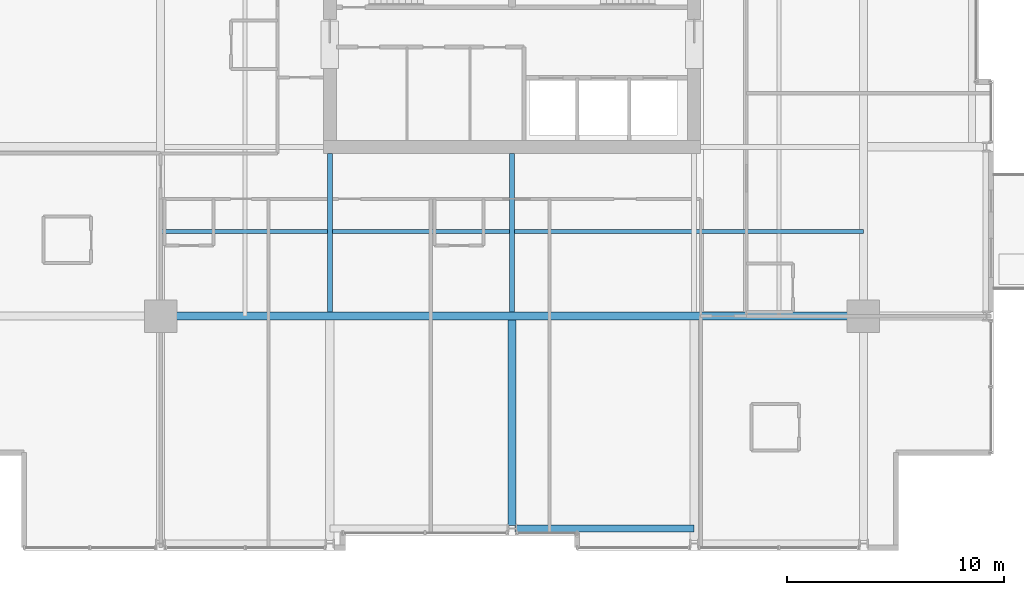
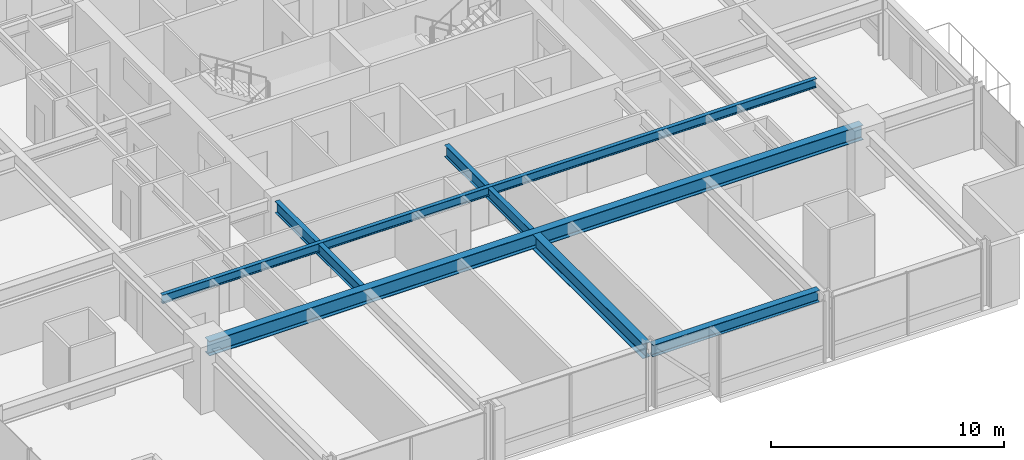
# One storey, part 6 of 34: 6 beams.
"""IFC4 building model written with IfcOpenShell, lengths in metres."""

from ifc_helpers import new_model, si_unit, direction, frame, origin, origin_2d, place, context, subcontext, project, spatial, i_section, extrude, material, material_profile, profile_set, type_object, element, save


model = new_model("IFC4")

# Units and contexts
model_context = context("Model", 3, precision=1e-05, world=origin(), true_north=direction((0.0, 1.0)))
body_context = subcontext(model_context, "Body", "Model", "MODEL_VIEW")
ifc_project = project(units=[si_unit("LENGTHUNIT", "METRE"), si_unit("AREAUNIT", "SQUARE_METRE"), si_unit("VOLUMEUNIT", "CUBIC_METRE"), si_unit("PLANEANGLEUNIT", "RADIAN"), si_unit("MASSUNIT", "GRAM", prefix="KILO")], contexts=[model_context])

# Site, building, storey
site_placement = place(None, origin())
site = spatial("IfcSite", under=ifc_project, at=site_placement, CompositionType="ELEMENT")
building_placement = place(site_placement, origin())
building = spatial("IfcBuilding", under=site, at=building_placement, Name="Drelvath Grand Hotel", CompositionType="ELEMENT")
storey_placement = place(building_placement, frame((0.0, 0.0, 116.300048828125)))
storey = spatial("IfcBuildingStorey", under=building, at=storey_placement, Name="L29", CompositionType="ELEMENT", Elevation=116.300048828125)

# Beams
ifc_material = material(Name="Steel ASTM A992 Gr 50", Category="steel")
ifc_material_profile_1 = material_profile(ifc_material, i_section(OverallWidth=0.19140625, OverallDepth=0.4599609375, WebThickness=0.010009765625, FlangeThickness=0.01611328125, FilletRadius=0.01611328125, at=origin_2d()), Name="W18X55")
ifc_profile_set_1 = profile_set([ifc_material_profile_1], Name="Steel ASTM A992 Gr 50")
beam_type_1 = type_object("IfcBeamType", Name="Composite Floor Joist W18X55", PredefinedType="JOIST", material=ifc_profile_set_1)
beam_1_placement = place(storey_placement, frame((-16.199951171875, 14.699951171875, 3.010009765625), z_axis=(1.0, 0.0, 0.0), x_axis=(0.0, 1.0, 0.0)))
element("IfcBeam", 1, at=beam_1_placement, inside=storey, type_object=beam_type_1, Name="L29 Floor Joist J1", PredefinedType="JOIST", context=body_context, shape_type="SweptSolid", body=[
    extrude(i_section(OverallWidth=0.19140625, OverallDepth=0.4599609375, WebThickness=0.010009765625, FlangeThickness=0.01611328125, FilletRadius=0.01611328125, at=origin_2d()), origin(), (0.0, 0.0, 1.0), 32.39990234375),
])
ifc_material_profile_2 = material_profile(ifc_material, i_section(OverallWidth=0.323974609375, OverallDepth=0.611083984375, WebThickness=0.0126953125, FlangeThickness=0.01904296875, FilletRadius=0.02197265625, at=origin_2d()), Name="W24X104")
ifc_profile_set_2 = profile_set([ifc_material_profile_2], Name="Steel ASTM A992 Gr 50")
beam_type_2 = type_object("IfcBeamType", Name="Perimeter Spandrel Beam W24X104", PredefinedType="SPANDREL", material=ifc_profile_set_2)
beam_2_placement = place(storey_placement, frame((0.139892578125, 1.0, 2.9345703125), z_axis=(1.0, 0.0, 0.0), x_axis=(0.0, 1.0, 0.0)))
element("IfcBeam", 2, at=beam_2_placement, inside=storey, type_object=beam_type_2, Name="L29 Spandrel South Mid E", PredefinedType="SPANDREL", context=body_context, shape_type="SweptSolid", body=[
    extrude(i_section(OverallWidth=0.323974609375, OverallDepth=0.611083984375, WebThickness=0.0126953125, FlangeThickness=0.01904296875, FilletRadius=0.02197265625, at=origin_2d()), origin(), (0.0, 0.0, 1.0), 8.260009765625),
])
ifc_material_profile_3 = material_profile(ifc_material, i_section(OverallWidth=0.228271484375, OverallDepth=0.607666015625, WebThickness=0.01123046875, FlangeThickness=0.017333984375, FilletRadius=0.02001953125, at=origin_2d()), Name="W24X76")
ifc_profile_set_3 = profile_set([ifc_material_profile_3], Name="Steel ASTM A992 Gr 50")
beam_type_3 = type_object("IfcBeamType", Name="Primary Floor Girder W24X76", PredefinedType="BEAM", material=ifc_profile_set_3)
for number, where, z_axis, x_axis, name in (
    (3, (-8.39990234375, 10.990234375, 2.93603515625), (0.0, 1.0, 0.0), (-1.0, 0.0, 0.0), "L29 South Core Tie 4"),
    (4, (0.0, 10.990234375, 2.93603515625), (0.0, 1.0, 0.0), (-1.0, 0.0, 0.0), "L29 South Core Tie 5"),
):
    element("IfcBeam", number, at=place(storey_placement, frame(where, z_axis=z_axis, x_axis=x_axis)), inside=storey, type_object=beam_type_3, Name=name, PredefinedType="BEAM", context=body_context, shape_type="SweptSolid", body=[
        extrude(i_section(OverallWidth=0.228271484375, OverallDepth=0.607666015625, WebThickness=0.01123046875, FlangeThickness=0.017333984375, FilletRadius=0.02001953125, at=origin_2d()), origin(), (0.0, 0.0, 1.0), 7.309814453125),
    ])
ifc_material_profile_4 = material_profile(ifc_material, i_section(OverallWidth=0.380615234375, OverallDepth=0.773193359375, WebThickness=0.0166015625, FlangeThickness=0.027099609375, FilletRadius=0.02490234375, at=origin_2d()), Name="W30X173")
ifc_profile_set_4 = profile_set([ifc_material_profile_4], Name="Steel ASTM A992 Gr 50")
beam_type_4 = type_object("IfcBeamType", Name="Primary Floor Girder W30X173", PredefinedType="BEAM", material=ifc_profile_set_4)
beam_3_placement = place(storey_placement, frame((-16.199951171875, 10.800048828125, 2.853271484375), z_axis=(1.0, 0.0, 0.0), x_axis=(0.0, 1.0, 0.0)))
element("IfcBeam", 5, at=beam_3_placement, inside=storey, type_object=beam_type_4, Name="L29 Mega Ring Girder South", PredefinedType="BEAM", context=body_context, shape_type="SweptSolid", body=[
    extrude(i_section(OverallWidth=0.380615234375, OverallDepth=0.773193359375, WebThickness=0.0166015625, FlangeThickness=0.027099609375, FilletRadius=0.02490234375, at=origin_2d()), origin(), (0.0, 0.0, 1.0), 32.39990234375),
])
beam_4_placement = place(storey_placement, frame((0.0, 1.139892578125, 2.853271484375), z_axis=(0.0, 1.0, 0.0), x_axis=(-1.0, 0.0, 0.0)))
element("IfcBeam", 6, at=beam_4_placement, inside=storey, type_object=beam_type_4, Name="L29 South Wing Girder 5", PredefinedType="BEAM", context=body_context, shape_type="SweptSolid", body=[
    extrude(i_section(OverallWidth=0.380615234375, OverallDepth=0.773193359375, WebThickness=0.0166015625, FlangeThickness=0.027099609375, FilletRadius=0.02490234375, at=origin_2d()), origin(), (0.0, 0.0, 1.0), 9.4697265625),
])

save(model, "model.ifc")
